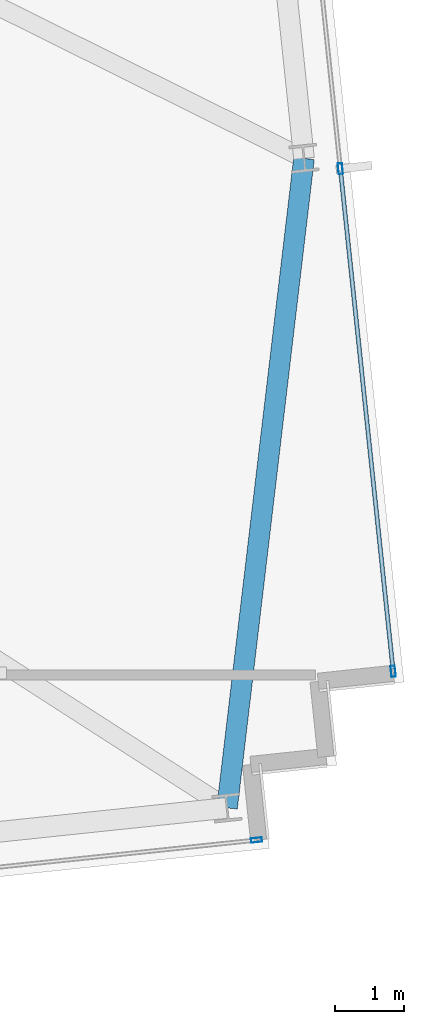
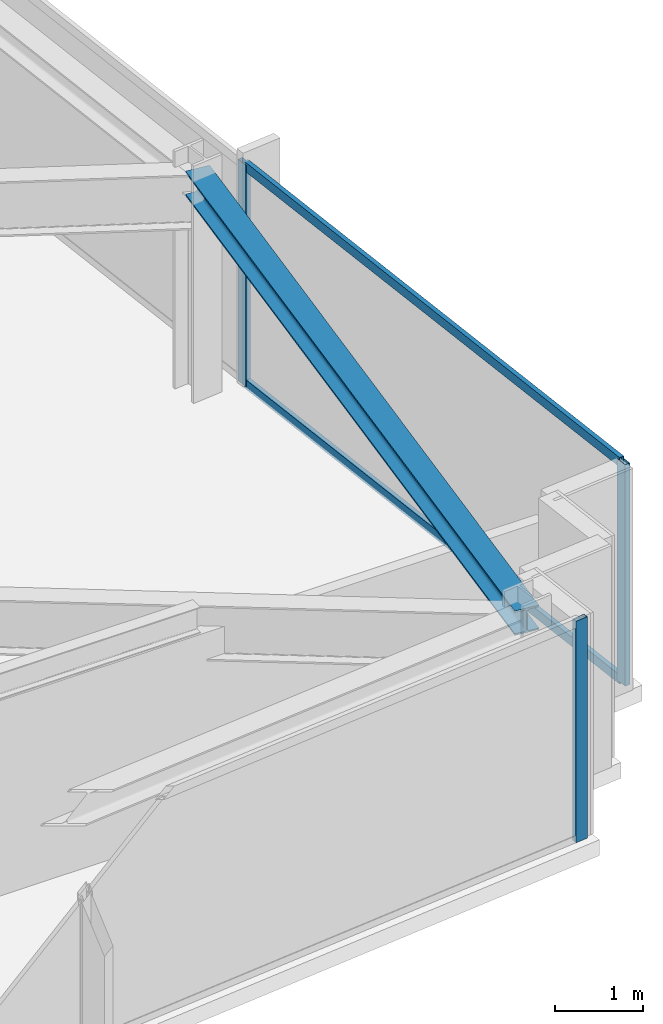
# One storey, part 17 of 32: 5 members, 1 beam, 2 elements without a shape of their own.
"""IFC4 building model written with IfcOpenShell, lengths in metres."""

from ifc_helpers import new_model, si_unit, direction, frame, origin, origin_2d, place, context, subcontext, project, spatial, hollow_rectangle, i_section, extrude, material, material_profile, profile_set, type_object, element, aggregate, save


model = new_model("IFC4")

# Units and contexts
model_context = context("Model", 3, precision=1e-05, world=origin(), true_north=direction((0.0, 1.0)))
body_context = subcontext(model_context, "Body", "Model", "MODEL_VIEW")
ifc_project = project(units=[si_unit("LENGTHUNIT", "METRE"), si_unit("AREAUNIT", "SQUARE_METRE"), si_unit("VOLUMEUNIT", "CUBIC_METRE"), si_unit("PLANEANGLEUNIT", "RADIAN"), si_unit("MASSUNIT", "GRAM", prefix="KILO")], contexts=[model_context])

# Site, building, storey
site_placement = place(None, origin())
site = spatial("IfcSite", under=ifc_project, at=site_placement, CompositionType="ELEMENT")
building_placement = place(site_placement, origin())
building = spatial("IfcBuilding", under=site, at=building_placement, Name="Yelkora Congress Tower", CompositionType="ELEMENT")
storey_placement = place(building_placement, frame((0.0, 0.0, 217.699951171875)))
storey = spatial("IfcBuildingStorey", under=building, at=storey_placement, Name="L60", CompositionType="ELEMENT", Elevation=217.699951171875)

# Beam
ifc_material_1 = material(Name="Steel S355J2", Category="steel")
ifc_material_profile_1 = material_profile(ifc_material_1, i_section(OverallWidth=0.300048828125, OverallDepth=0.340087890625, WebThickness=0.011962890625, FlangeThickness=0.021484375, FilletRadius=0.027099609375, at=origin_2d()), Name="HEB 340")
ifc_profile_set_1 = profile_set([ifc_material_profile_1], Name="Steel S355J2")
beam_type = type_object("IfcBeamType", Name="BM-SPAN-HEB340", PredefinedType="SPANDREL", material=ifc_profile_set_1)
beam_placement = place(storey_placement, frame((69.235107421875, 17.716796875, 2.91015625), z_axis=(0.11765897357, 0.993054059928, 0.0), x_axis=(-0.993054059928, 0.11765897357, 0.0)))
element("IfcBeam", 1, at=beam_placement, inside=storey, type_object=beam_type, Name="L60 Perimeter Beam 9", PredefinedType="SPANDREL", context=body_context, shape_type="SweptSolid", body=[
    extrude(i_section(OverallWidth=0.300048828125, OverallDepth=0.340087890625, WebThickness=0.011962890625, FlangeThickness=0.021484375, FilletRadius=0.027099609375, at=origin_2d()), origin(), (0.0, 0.0, 1.0), 9.509765625),
])

# Curtain wall, members
ifc_material_2 = material(Name="Anodised aluminium and insulated glass", Category="aluminium")
curtain_wall_type = type_object("IfcCurtainWallType", Name="CW-SYS-B4", PredefinedType="NOTDEFINED", material=ifc_material_2)
curtain_wall_1_placement = place(storey_placement, origin())
curtain_wall_1 = element("IfcCurtainWall", 2, at=curtain_wall_1_placement, inside=storey, type_object=curtain_wall_type, Name="L60 Unitised Curtain Wall 15", PredefinedType="NOTDEFINED")
ifc_material_3 = material(Name="Anodised aluminium 6063-T6", Category="aluminium")
ifc_material_profile_2 = material_profile(ifc_material_3, hollow_rectangle(XDim=0.06494140625, YDim=0.159912109375, WallThickness=0.00390625, at=origin_2d()), Name="ALU 65x160x4")
ifc_profile_set_2 = profile_set([ifc_material_profile_2], Name="Anodised aluminium 6063-T6")
member_type_1 = type_object("IfcMemberType", Name="MEM-ML-B4", PredefinedType="MULLION", material=ifc_profile_set_2)
member_1_placement = place(storey_placement, frame((70.882568359375, 27.009765625, 0.0), z_axis=(0.0, 0.0, 1.0), x_axis=(0.994522182968, 0.104525726898, 0.0)))
member_1 = element("IfcMember", 3, at=member_1_placement, type_object=member_type_1, Name="CW-B4 mullion 4", PredefinedType="MULLION", context=body_context, shape_type="SweptSolid", body=[
    extrude(hollow_rectangle(XDim=0.06494140625, YDim=0.159912109375, WallThickness=0.00390625, at=origin_2d()), origin(), (0.0, 0.0, 1.0), 3.080078125),
])
member_2_placement = place(storey_placement, frame((71.650634765625, 19.70263671875, 0.0), z_axis=(0.0, 0.0, 1.0), x_axis=(0.994522182968, 0.104525726898, 0.0)))
member_2 = element("IfcMember", 4, at=member_2_placement, type_object=member_type_1, Name="CW-B4 mullion 5", PredefinedType="MULLION", context=body_context, shape_type="SweptSolid", body=[
    extrude(hollow_rectangle(XDim=0.06494140625, YDim=0.159912109375, WallThickness=0.00390625, at=origin_2d()), origin(), (0.0, 0.0, 1.0), 3.080078125),
])

# Curtain wall, member
curtain_wall_2_placement = place(storey_placement, origin())
curtain_wall_2 = element("IfcCurtainWall", 5, at=curtain_wall_2_placement, inside=storey, type_object=curtain_wall_type, Name="L60 Unitised Curtain Wall 20", PredefinedType="NOTDEFINED")
member_3_placement = place(storey_placement, frame((69.663818359375, 17.2490234375, 0.0), z_axis=(0.0, 0.0, 1.0), x_axis=(0.104526664994, -0.994522084373, 0.0)))
member_3 = element("IfcMember", 6, at=member_3_placement, type_object=member_type_1, Name="CW-B4 mullion 1", PredefinedType="MULLION", context=body_context, shape_type="SweptSolid", body=[
    extrude(hollow_rectangle(XDim=0.06494140625, YDim=0.159912109375, WallThickness=0.00390625, at=origin_2d()), origin(), (0.0, 0.0, 1.0), 3.080078125),
])
aggregate(curtain_wall_2, [member_3])

# Member
ifc_material_profile_3 = material_profile(ifc_material_3, hollow_rectangle(XDim=0.06005859375, YDim=0.1298828125, WallThickness=0.00390625, at=origin_2d()), Name="ALU 60x130x4")
ifc_profile_set_3 = profile_set([ifc_material_profile_3], Name="Anodised aluminium 6063-T6")
member_type_2 = type_object("IfcMemberType", Name="MEM-TR-B4", PredefinedType="USERDEFINED", material=ifc_profile_set_3)
member_4_placement = place(storey_placement, frame((70.885986328125, 26.9775390625, 0.030029296875), z_axis=(0.104527725728, -0.994521972886, 0.0), x_axis=(0.994521972886, 0.104527725728, 0.0)))
member_4 = element("IfcMember", 7, at=member_4_placement, type_object=member_type_2, Name="CW-B4 transom 4.1", ObjectType="TRANSOM", PredefinedType="USERDEFINED", context=body_context, shape_type="SweptSolid", body=[
    extrude(hollow_rectangle(XDim=0.06005859375, YDim=0.1298828125, WallThickness=0.00390625, at=origin_2d()), origin(), (0.0, 0.0, 1.0), 7.282470703125),
])

member_5_placement = place(storey_placement, frame((70.885986328125, 26.9775390625, 3.050048828125), z_axis=(0.104527725728, -0.994521972886, 0.0), x_axis=(0.994521972886, 0.104527725728, 0.0)))
member_5 = element("IfcMember", 8, at=member_5_placement, type_object=member_type_2, Name="CW-B4 transom 4.2", ObjectType="TRANSOM", PredefinedType="USERDEFINED", context=body_context, shape_type="SweptSolid", body=[
    extrude(hollow_rectangle(XDim=0.06005859375, YDim=0.1298828125, WallThickness=0.00390625, at=origin_2d()), origin(), (0.0, 0.0, 1.0), 7.282470703125),
])

aggregate(curtain_wall_1, [member_1, member_2, member_4, member_5])

save(model, "model.ifc")
